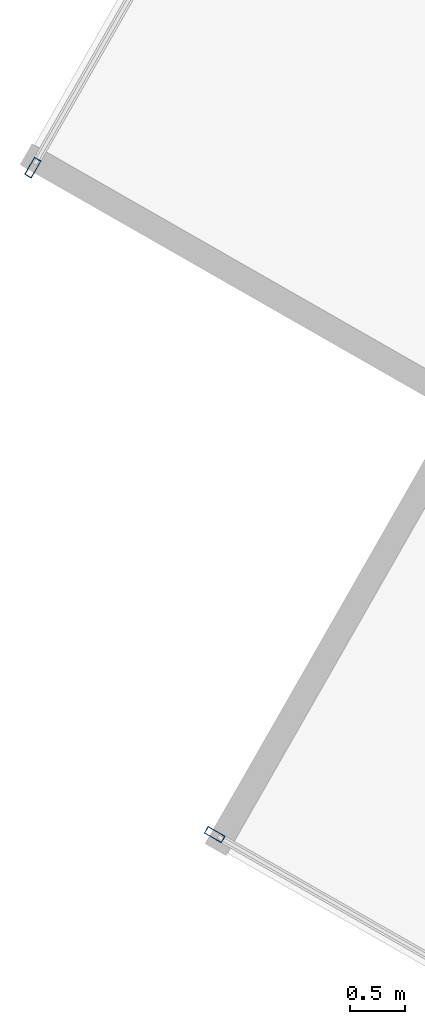
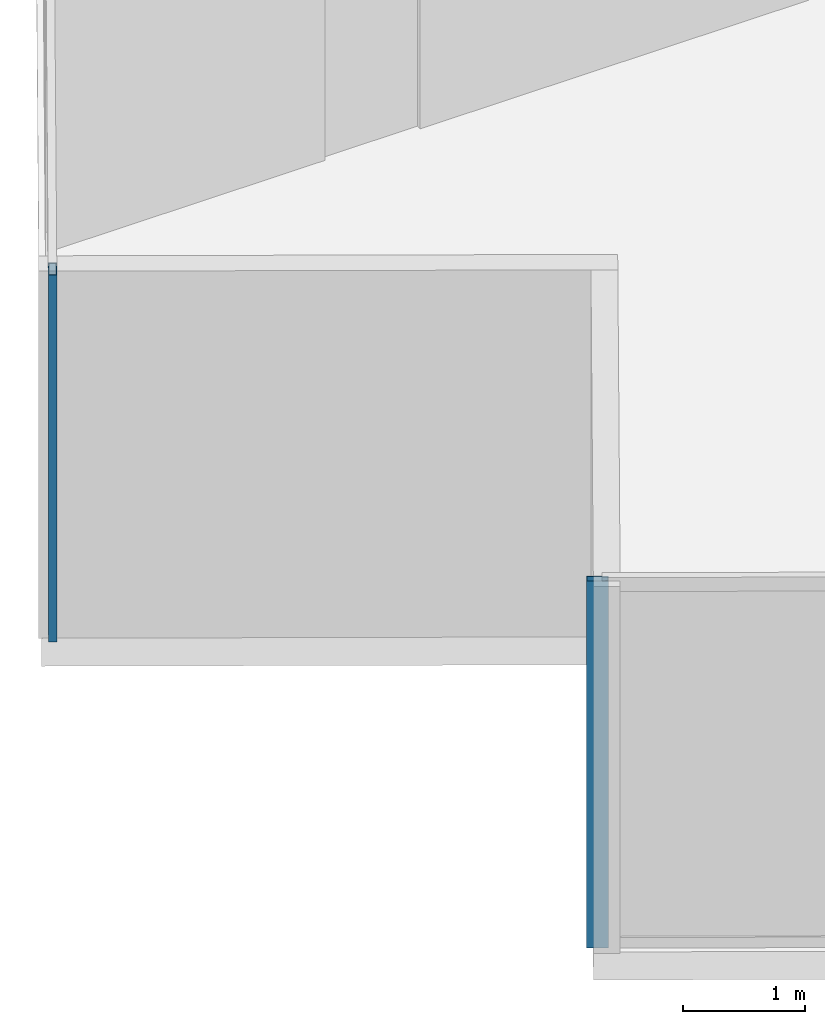
# One storey, part 5 of 24: 2 members, 2 elements without a shape of their own.
"""IFC4 building model written with IfcOpenShell, lengths in metres."""

from ifc_helpers import new_model, si_unit, direction, frame, origin, origin_2d, place, context, subcontext, project, spatial, hollow_rectangle, extrude, source, transform, mapped, material, material_profile, profile_set, type_object, type_shapes, element, aggregate, save


model = new_model("IFC4")

# Units and contexts
model_context = context("Model", 3, precision=1e-05, world=origin(), true_north=direction((0.0, 1.0)))
body_context = subcontext(model_context, "Body", "Model", "MODEL_VIEW")
ifc_project = project(units=[si_unit("LENGTHUNIT", "METRE"), si_unit("AREAUNIT", "SQUARE_METRE"), si_unit("VOLUMEUNIT", "CUBIC_METRE"), si_unit("PLANEANGLEUNIT", "RADIAN"), si_unit("MASSUNIT", "GRAM", prefix="KILO")], contexts=[model_context])

# Site, building, storey
site_placement = place(None, origin())
site = spatial("IfcSite", under=ifc_project, at=site_placement, CompositionType="ELEMENT")
building_placement = place(site_placement, origin())
building = spatial("IfcBuilding", under=site, at=building_placement, Name="Krantzveldt Concourse Tower", CompositionType="ELEMENT")
storey_placement = place(building_placement, frame((0.0, 0.0, 162.0)))
storey = spatial("IfcBuildingStorey", under=building, at=storey_placement, Name="L39", CompositionType="ELEMENT", Elevation=162.0)

# Curtain wall, member
ifc_material = material(Name="Anodised aluminium 6063-T6", Category="aluminium")
curtain_wall_type = type_object("IfcCurtainWallType", Name="CW3", PredefinedType="USERDEFINED", material=ifc_material)
curtain_wall_1_placement = place(storey_placement, origin())
curtain_wall_1 = element("IfcCurtainWall", 1, at=curtain_wall_1_placement, inside=storey, type_object=curtain_wall_type, Name="CW-L39-F05", ObjectType="UNITISED CURTAIN WALL", PredefinedType="USERDEFINED")
ifc_material_profile = material_profile(ifc_material, hollow_rectangle(XDim=0.070068359375, YDim=0.179931640625, WallThickness=0.0048828125, at=origin_2d()), Name="Anodised aluminium 6063-T6", Category="aluminium")
ifc_profile_set = profile_set([ifc_material_profile], Name="Anodised aluminium 6063-T6 - ALU-MULL 180x70x5")
member_type = type_object("IfcMemberType", Name="CW-MUL-180", PredefinedType="MULLION", material=ifc_profile_set)
shared_shape = source(origin(), body_context, "Body", "SweptSolid", [
    extrude(hollow_rectangle(XDim=0.070068359375, YDim=0.179931640625, WallThickness=0.0048828125, at=origin_2d()), origin(), (0.0, 0.0, 1.0), 3.669921875),
])
type_shapes(member_type, [shared_shape])
member_1_placement = place(storey_placement, frame((8.44775390625, 22.4462890625, 0.0), z_axis=(0.0, 0.0, 1.0), x_axis=(0.868199066314, -0.496216063073, 0.0)))
member_1 = element("IfcMember", 2, at=member_1_placement, type_object=member_type, Name="CW-Z34 mullion 3", PredefinedType="MULLION", context=body_context, shape_type="MappedRepresentation", body=[
    mapped(shared_shape, transform((0.0, 0.0, 0.0), x_axis=(1.0, 0.0, 0.0), y_axis=(0.0, 1.0, 0.0), z_axis=(0.0, 0.0, 1.0), scale=1.0)),
])
aggregate(curtain_wall_1, [member_1])

curtain_wall_2_placement = place(storey_placement, origin())
curtain_wall_2 = element("IfcCurtainWall", 3, at=curtain_wall_2_placement, inside=storey, type_object=curtain_wall_type, Name="CW-L39-F08", ObjectType="UNITISED CURTAIN WALL", PredefinedType="USERDEFINED")
member_2_placement = place(storey_placement, frame((10.101318359375, 16.38134765625, 0.0), z_axis=(0.0, 0.0, 1.0), x_axis=(0.496216394392, 0.868198876949, 0.0)))
member_2 = element("IfcMember", 4, at=member_2_placement, type_object=member_type, Name="CW-Z34 mullion 1", PredefinedType="MULLION", context=body_context, shape_type="MappedRepresentation", body=[
    mapped(shared_shape, transform((0.0, 0.0, 0.0), x_axis=(1.0, 0.0, 0.0), y_axis=(0.0, 1.0, 0.0), z_axis=(0.0, 0.0, 1.0), scale=1.0)),
])
aggregate(curtain_wall_2, [member_2])

save(model, "model.ifc")
